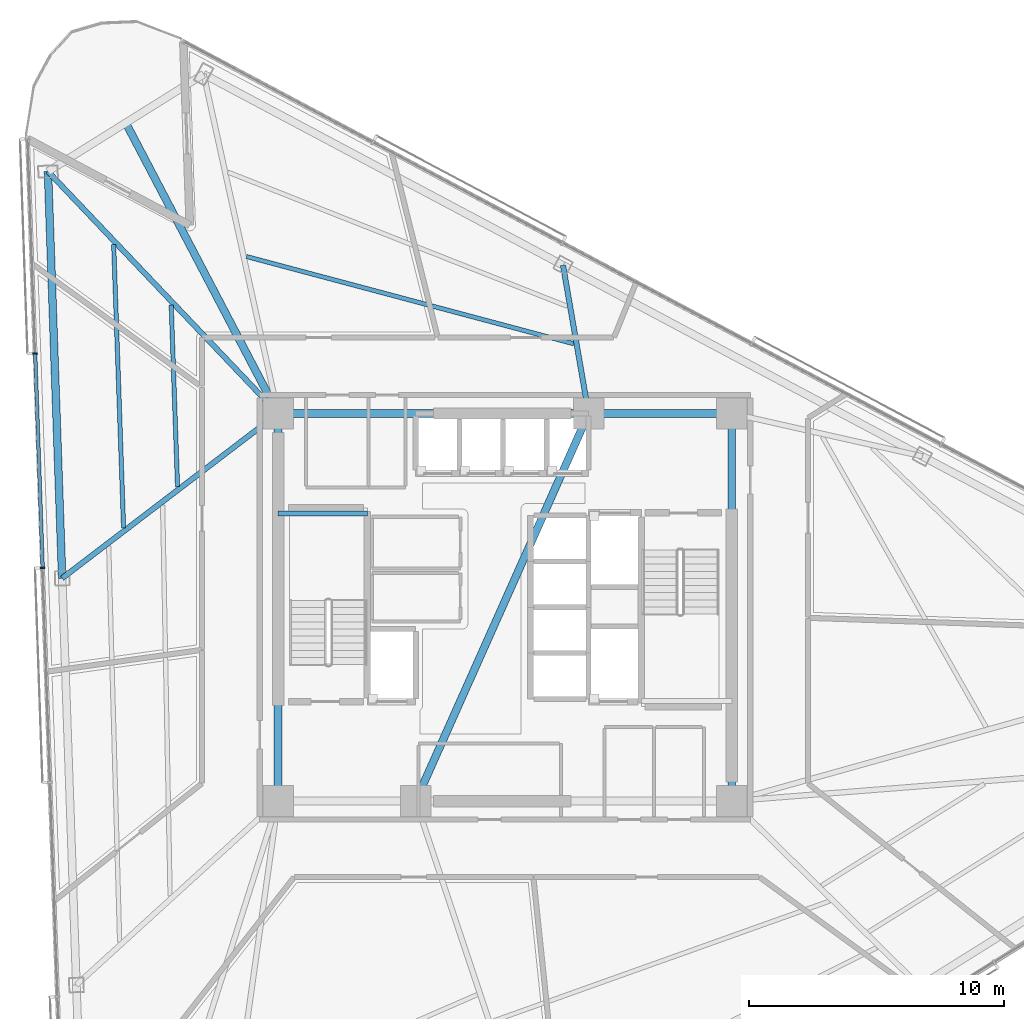
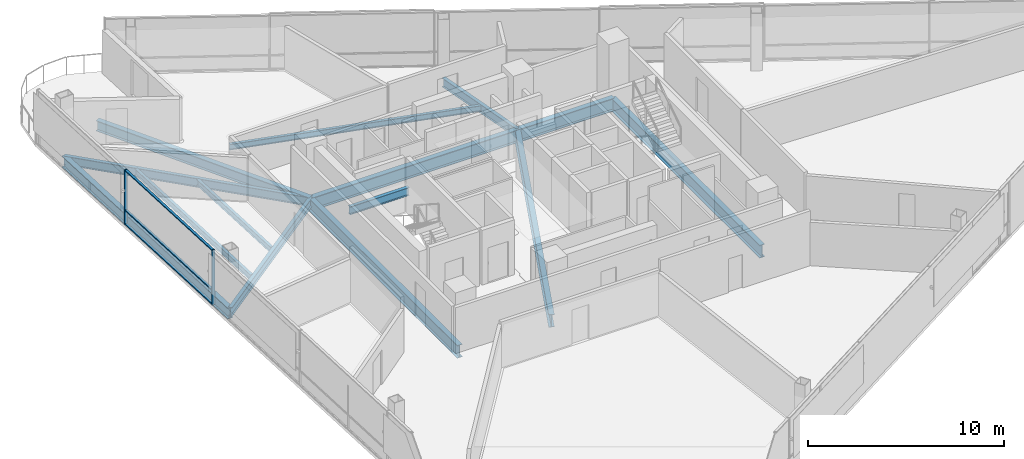
# One storey, part 7 of 20: 14 beams, 5 members, 1 element without a shape of its own.
"""IFC4 building model written with IfcOpenShell, lengths in metres."""

from ifc_helpers import new_model, si_unit, direction, frame, origin, origin_2d, place, context, subcontext, project, spatial, rectangle, i_section, extrude, material, layer, layer_set, material_profile, profile_set, type_object, element, aggregate, save


model = new_model("IFC4")

# Units and contexts
model_context = context("Model", 3, precision=1e-05, world=origin(), true_north=direction((0.0, 1.0)))
body_context = subcontext(model_context, "Body", "Model", "MODEL_VIEW")
ifc_project = project(units=[si_unit("LENGTHUNIT", "METRE"), si_unit("AREAUNIT", "SQUARE_METRE"), si_unit("VOLUMEUNIT", "CUBIC_METRE"), si_unit("PLANEANGLEUNIT", "RADIAN"), si_unit("MASSUNIT", "GRAM", prefix="KILO")], contexts=[model_context])

# Site, building, storey
site_placement = place(None, origin())
site = spatial("IfcSite", under=ifc_project, at=site_placement, CompositionType="ELEMENT")
building_placement = place(site_placement, origin())
building = spatial("IfcBuilding", under=site, at=building_placement, Name="Tharavind Bronze Gate", CompositionType="ELEMENT")
storey_placement = place(building_placement, frame((0.0, 0.0, 146.0)))
storey = spatial("IfcBuildingStorey", under=building, at=storey_placement, Name="L37", CompositionType="ELEMENT", Elevation=146.0)

# Curtain wall, members
ifc_material_1 = material(Name="Anodised Bronze Aluminium", Category="aluminium")
ifc_layer = layer(ifc_material_1, 0.219970703125)
ifc_layer_set = layer_set([ifc_layer], Name="Anodised Bronze Aluminium")
curtain_wall_type = type_object("IfcCurtainWallType", Name="UNITISED CURTAIN WALL MID OFFICE", PredefinedType="USERDEFINED", material=ifc_layer_set)
curtain_wall_placement = place(storey_placement, origin())
curtain_wall = element("IfcCurtainWall", 1, at=curtain_wall_placement, inside=storey, type_object=curtain_wall_type, Name="L37 unitised curtain wall mid office CW-L37-S1", ObjectType="UNITISED CURTAIN WALL", PredefinedType="USERDEFINED")
member_type_1 = type_object("IfcMemberType", Name="CURTAIN WALL BRONZE MULLION 65X180", PredefinedType="MULLION", material=ifc_material_1)
member_1_placement = place(storey_placement, frame((-18.426025390625, 9.955078125, 0.0), z_axis=(0.0, 0.0, 1.0), x_axis=(0.034899496703, -0.999390827019, 0.0)))
member_1 = element("IfcMember", 2, at=member_1_placement, type_object=member_type_1, Name="CW-L37-S1 mullion 2", PredefinedType="MULLION", context=body_context, shape_type="SweptSolid", body=[
    extrude(rectangle(XDim=0.06494140625, YDim=0.179931640625, at=origin_2d()), origin(), (0.0, 0.0, 1.0), 3.409912109375),
])
member_2_placement = place(storey_placement, frame((-18.132568359375, 1.545654296875, 0.0), z_axis=(0.0, 0.0, 1.0), x_axis=(0.034899496703, -0.999390827019, 0.0)))
member_2 = element("IfcMember", 3, at=member_2_placement, type_object=member_type_1, Name="CW-L37-S1 mullion 3", PredefinedType="MULLION", context=body_context, shape_type="SweptSolid", body=[
    extrude(rectangle(XDim=0.06494140625, YDim=0.179931640625, at=origin_2d()), origin(), (0.0, 0.0, 1.0), 3.409912109375),
])
member_type_2 = type_object("IfcMemberType", Name="CURTAIN WALL BRONZE TRANSOM 65X140", PredefinedType="USERDEFINED", material=ifc_material_1)
member_3_placement = place(storey_placement, frame((-18.279296875, 5.750244140625, 0.0), z_axis=(0.0, 0.0, 1.0), x_axis=(0.034899496703, -0.999390827019, 0.0)))
member_3 = element("IfcMember", 4, at=member_3_placement, type_object=member_type_2, Name="CW-L37-S1 transom TB2", ObjectType="TRANSOM", PredefinedType="USERDEFINED", context=body_context, shape_type="SweptSolid", body=[
    extrude(rectangle(XDim=8.361572265625, YDim=0.139892578125, at=origin_2d()), origin(), (0.0, 0.0, 1.0), 0.06494140625),
])
member_4_placement = place(storey_placement, frame((-18.279296875, 5.750244140625, 0.867431640625), z_axis=(0.0, 0.0, 1.0), x_axis=(0.034899496703, -0.999390827019, 0.0)))
member_4 = element("IfcMember", 5, at=member_4_placement, type_object=member_type_2, Name="CW-L37-S1 transom TS2", ObjectType="TRANSOM", PredefinedType="USERDEFINED", context=body_context, shape_type="SweptSolid", body=[
    extrude(rectangle(XDim=8.361572265625, YDim=0.139892578125, at=origin_2d()), origin(), (0.0, 0.0, 1.0), 0.06494140625),
])
member_5_placement = place(storey_placement, frame((-18.279296875, 5.750244140625, 3.344970703125), z_axis=(0.0, 0.0, 1.0), x_axis=(0.034899496703, -0.999390827019, 0.0)))
member_5 = element("IfcMember", 6, at=member_5_placement, type_object=member_type_2, Name="CW-L37-S1 transom TT2", ObjectType="TRANSOM", PredefinedType="USERDEFINED", context=body_context, shape_type="SweptSolid", body=[
    extrude(rectangle(XDim=8.361572265625, YDim=0.139892578125, at=origin_2d()), origin(), (0.0, 0.0, 1.0), 0.06494140625),
])
aggregate(curtain_wall, [member_1, member_2, member_3, member_4, member_5])

# Beams
ifc_material_2 = material(Name="Steel S355", Category="steel")
ifc_material_profile_1 = material_profile(ifc_material_2, i_section(OverallWidth=0.300048828125, OverallDepth=0.64990234375, WebThickness=0.01611328125, FlangeThickness=0.031005859375, at=origin_2d()), Name="HE650B")
ifc_profile_set_1 = profile_set([ifc_material_profile_1], Name="Steel S355")
beam_type_1 = type_object("IfcBeamType", Name="PRIMARY GIRDER HE650B", PredefinedType="USERDEFINED", material=ifc_profile_set_1)
beam_1_placement = place(storey_placement, frame((-8.89990234375, 7.60009765625, -0.514892578125), z_axis=(-0.464055196484, 0.88580628504, 0.0), x_axis=(-0.88580628504, -0.464055196484, 0.0)))
element("IfcBeam", 7, at=beam_1_placement, inside=storey, type_object=beam_type_1, Name="L37 primary girder he650b BM-L37-BLCSB", ObjectType="GIRDER", PredefinedType="USERDEFINED", context=body_context, shape_type="SweptSolid", body=[
    extrude(i_section(OverallWidth=0.300048828125, OverallDepth=0.64990234375, WebThickness=0.01611328125, FlangeThickness=0.031005859375, at=origin_2d()), origin(), (0.0, 0.0, 1.0), 12.86962890625),
])
ifc_material_profile_2 = material_profile(ifc_material_2, i_section(OverallWidth=0.199951171875, OverallDepth=0.5, WebThickness=0.01025390625, FlangeThickness=0.01611328125, at=origin_2d()), Name="IPE500")
ifc_profile_set_2 = profile_set([ifc_material_profile_2], Name="Steel S355")
beam_type_2 = type_object("IfcBeamType", Name="PRIMARY GIRDER IPE500", PredefinedType="USERDEFINED", material=ifc_profile_set_2)
beam_2_placement = place(storey_placement, frame((-8.89990234375, 3.679931640625, 1.35009765625), z_axis=(1.0, 0.0, 0.0), x_axis=(0.0, 1.0, 0.0)))
element("IfcBeam", 8, at=beam_2_placement, inside=storey, type_object=beam_type_2, Name="L37 primary girder ipe500 BM-LD-ST1-L37-1", ObjectType="GIRDER", PredefinedType="USERDEFINED", context=body_context, shape_type="SweptSolid", body=[
    extrude(i_section(OverallWidth=0.199951171875, OverallDepth=0.5, WebThickness=0.01025390625, FlangeThickness=0.01611328125, at=origin_2d()), origin(), (0.0, 0.0, 1.0), 3.5),
])
ifc_material_profile_3 = material_profile(ifc_material_2, i_section(OverallWidth=0.2099609375, OverallDepth=0.550048828125, WebThickness=0.010986328125, FlangeThickness=0.01708984375, at=origin_2d()), Name="IPE550")
ifc_profile_set_3 = profile_set([ifc_material_profile_3], Name="Steel S355")
beam_type_3 = type_object("IfcBeamType", Name="PRIMARY GIRDER IPE550", PredefinedType="USERDEFINED", material=ifc_profile_set_3)
beam_3_placement = place(storey_placement, frame((-17.9248046875, 17.09228515625, -0.465087890625), z_axis=(0.689043333113, -0.724720142602, 0.0), x_axis=(0.724720142602, 0.689043333113, 0.0)))
element("IfcBeam", 9, at=beam_3_placement, inside=storey, type_object=beam_type_3, Name="L37 primary girder ipe550 BM-L37-RAD01", ObjectType="GIRDER", PredefinedType="USERDEFINED", context=body_context, shape_type="SweptSolid", body=[
    extrude(i_section(OverallWidth=0.2099609375, OverallDepth=0.550048828125, WebThickness=0.010986328125, FlangeThickness=0.01708984375, at=origin_2d()), origin(), (0.0, 0.0, 1.0), 13.09765625),
])
beam_4_placement = place(storey_placement, frame((-17.367919921875, 1.138916015625, -0.465087890625), z_axis=(0.79500796779, 0.6065989871, 0.0), x_axis=(-0.6065989871, 0.79500796779, 0.0)))
element("IfcBeam", 10, at=beam_4_placement, inside=storey, type_object=beam_type_3, Name="L37 primary girder ipe550 BM-L37-RAD02", ObjectType="GIRDER", PredefinedType="USERDEFINED", context=body_context, shape_type="SweptSolid", body=[
    extrude(i_section(OverallWidth=0.2099609375, OverallDepth=0.550048828125, WebThickness=0.010986328125, FlangeThickness=0.01708984375, at=origin_2d()), origin(), (0.0, 0.0, 1.0), 10.6513671875),
])
beam_5_placement = place(storey_placement, frame((2.275634765625, 13.41357421875, -0.465087890625), z_axis=(0.170247810627, -0.985401280178, 0.0), x_axis=(0.985401280178, 0.170247810627, 0.0)))
element("IfcBeam", 11, at=beam_5_placement, inside=storey, type_object=beam_type_3, Name="L37 primary girder ipe550 BM-L37-RAD11", ObjectType="GIRDER", PredefinedType="USERDEFINED", context=body_context, shape_type="SweptSolid", body=[
    extrude(i_section(OverallWidth=0.2099609375, OverallDepth=0.550048828125, WebThickness=0.010986328125, FlangeThickness=0.01708984375, at=origin_2d()), origin(), (0.0, 0.0, 1.0), 5.899658203125),
])
ifc_material_profile_4 = material_profile(ifc_material_2, i_section(OverallWidth=0.300048828125, OverallDepth=0.699951171875, WebThickness=0.01708984375, FlangeThickness=0.031982421875, at=origin_2d()), Name="HE700B")
ifc_profile_set_4 = profile_set([ifc_material_profile_4], Name="Steel S355")
beam_type_4 = type_object("IfcBeamType", Name="RING GIRDER HE700B", PredefinedType="USERDEFINED", material=ifc_profile_set_4)
beam_6_placement = place(storey_placement, frame((-17.9248046875, 17.09228515625, -0.5400390625), z_axis=(0.034885784199, -0.999391305776, 0.0), x_axis=(0.999391305776, 0.034885784199, 0.0)))
element("IfcBeam", 12, at=beam_6_placement, inside=storey, type_object=beam_type_4, Name="L37 ring girder he700b BM-L37-PRG01", ObjectType="GIRDER", PredefinedType="USERDEFINED", context=body_context, shape_type="SweptSolid", body=[
    extrude(i_section(OverallWidth=0.300048828125, OverallDepth=0.699951171875, WebThickness=0.01708984375, FlangeThickness=0.031982421875, at=origin_2d()), origin(), (0.0, 0.0, 1.0), 15.963134765625),
])
ifc_material_profile_5 = material_profile(ifc_material_2, i_section(OverallWidth=0.300048828125, OverallDepth=0.800048828125, WebThickness=0.017578125, FlangeThickness=0.032958984375, at=origin_2d()), Name="HE800B")
ifc_profile_set_5 = profile_set([ifc_material_profile_5], Name="Steel S355")
beam_type_5 = type_object("IfcBeamType", Name="RING GIRDER HE800B", PredefinedType="USERDEFINED", material=ifc_profile_set_5)
beam_7_placement = place(storey_placement, frame((8.89990234375, -7.60009765625, -0.590087890625), z_axis=(0.0, 1.0, 0.0), x_axis=(-1.0, 0.0, 0.0)))
element("IfcBeam", 13, at=beam_7_placement, inside=storey, type_object=beam_type_5, Name="L37 ring girder he800b BM-L37-CR3", ObjectType="GIRDER", PredefinedType="USERDEFINED", context=body_context, shape_type="SweptSolid", body=[
    extrude(i_section(OverallWidth=0.300048828125, OverallDepth=0.800048828125, WebThickness=0.017578125, FlangeThickness=0.032958984375, at=origin_2d()), origin(), (0.0, 0.0, 1.0), 15.2001953125),
])
beam_8_placement = place(storey_placement, frame((8.89990234375, 7.60009765625, -0.590087890625), z_axis=(-1.0, 0.0, 0.0), x_axis=(0.0, -1.0, 0.0)))
element("IfcBeam", 14, at=beam_8_placement, inside=storey, type_object=beam_type_5, Name="L37 ring girder he800b BM-L37-CR4", ObjectType="GIRDER", PredefinedType="USERDEFINED", context=body_context, shape_type="SweptSolid", body=[
    extrude(i_section(OverallWidth=0.300048828125, OverallDepth=0.800048828125, WebThickness=0.017578125, FlangeThickness=0.032958984375, at=origin_2d()), origin(), (0.0, 0.0, 1.0), 5.619873046875),
])
beam_9_placement = place(storey_placement, frame((3.280029296875, 7.60009765625, -0.590087890625), z_axis=(-1.0, 0.0, 0.0), x_axis=(0.0, -1.0, 0.0)))
element("IfcBeam", 15, at=beam_9_placement, inside=storey, type_object=beam_type_5, Name="L37 ring girder he800b BM-L37-CR5", ObjectType="GIRDER", PredefinedType="USERDEFINED", context=body_context, shape_type="SweptSolid", body=[
    extrude(i_section(OverallWidth=0.300048828125, OverallDepth=0.800048828125, WebThickness=0.017578125, FlangeThickness=0.032958984375, at=origin_2d()), origin(), (0.0, 0.0, 1.0), 12.179931640625),
])
beam_10_placement = place(storey_placement, frame((-8.89990234375, 7.60009765625, -0.590087890625), z_axis=(0.0, -1.0, 0.0), x_axis=(1.0, 0.0, 0.0)))
element("IfcBeam", 16, at=beam_10_placement, inside=storey, type_object=beam_type_5, Name="L37 ring girder he800b BM-L37-CR6", ObjectType="GIRDER", PredefinedType="USERDEFINED", context=body_context, shape_type="SweptSolid", body=[
    extrude(i_section(OverallWidth=0.300048828125, OverallDepth=0.800048828125, WebThickness=0.017578125, FlangeThickness=0.032958984375, at=origin_2d()), origin(), (0.0, 0.0, 1.0), 15.2001953125),
])
beam_11_placement = place(storey_placement, frame((-3.5, -7.60009765625, -0.590087890625), z_axis=(0.407361644566, 0.913266932795, 0.0), x_axis=(-0.913266932795, 0.407361644566, 0.0)))
element("IfcBeam", 17, at=beam_11_placement, inside=storey, type_object=beam_type_5, Name="L37 ring girder he800b BM-L37-CR7", ObjectType="GIRDER", PredefinedType="USERDEFINED", context=body_context, shape_type="SweptSolid", body=[
    extrude(i_section(OverallWidth=0.300048828125, OverallDepth=0.800048828125, WebThickness=0.017578125, FlangeThickness=0.032958984375, at=origin_2d()), origin(), (0.0, 0.0, 1.0), 16.643798828125),
])
ifc_material_profile_6 = material_profile(ifc_material_2, i_section(OverallWidth=0.169921875, OverallDepth=0.360107421875, WebThickness=0.008056640625, FlangeThickness=0.0126953125, at=origin_2d()), Name="IPE360")
ifc_profile_set_6 = profile_set([ifc_material_profile_6], Name="Steel S355")
beam_type_6 = type_object("IfcBeamType", Name="SECONDARY FLOOR JOIST IPE360", PredefinedType="JOIST", material=ifc_profile_set_6)
beam_12_placement = place(storey_placement, frame((-13.0908203125, 11.851806640625, -0.3701171875), z_axis=(0.034868084792, -0.999391923453, 0.0), x_axis=(0.999391923453, 0.034868084792, 0.0)))
element("IfcBeam", 18, at=beam_12_placement, inside=storey, type_object=beam_type_6, Name="L37 secondary floor joist ipe360 BM-L37-JSTA01", PredefinedType="JOIST", context=body_context, shape_type="SweptSolid", body=[
    extrude(i_section(OverallWidth=0.169921875, OverallDepth=0.360107421875, WebThickness=0.008056640625, FlangeThickness=0.0126953125, at=origin_2d()), origin(), (0.0, 0.0, 1.0), 7.1279296875),
])
beam_13_placement = place(storey_placement, frame((-15.34716796875, 14.224853515625, -0.3701171875), z_axis=(0.034913008406, -0.999390355089, 0.0), x_axis=(0.999390355089, 0.034913008406, 0.0)))
element("IfcBeam", 19, at=beam_13_placement, inside=storey, type_object=beam_type_6, Name="L37 secondary floor joist ipe360 BM-L37-JSTB01", PredefinedType="JOIST", context=body_context, shape_type="SweptSolid", body=[
    extrude(i_section(OverallWidth=0.169921875, OverallDepth=0.360107421875, WebThickness=0.008056640625, FlangeThickness=0.0126953125, at=origin_2d()), origin(), (0.0, 0.0, 1.0), 11.11865234375),
])
beam_14_placement = place(storey_placement, frame((2.697509765625, 10.333984375, -0.3701171875), z_axis=(-0.966245614019, 0.257622618162, 0.0), x_axis=(-0.257622618162, -0.966245614019, 0.0)))
element("IfcBeam", 20, at=beam_14_placement, inside=storey, type_object=beam_type_6, Name="L37 secondary floor joist ipe360 BM-L37-JSTA11", PredefinedType="JOIST", context=body_context, shape_type="SweptSolid", body=[
    extrude(i_section(OverallWidth=0.169921875, OverallDepth=0.360107421875, WebThickness=0.008056640625, FlangeThickness=0.0126953125, at=origin_2d()), origin(), (0.0, 0.0, 1.0), 13.285400390625),
])

save(model, "model.ifc")
